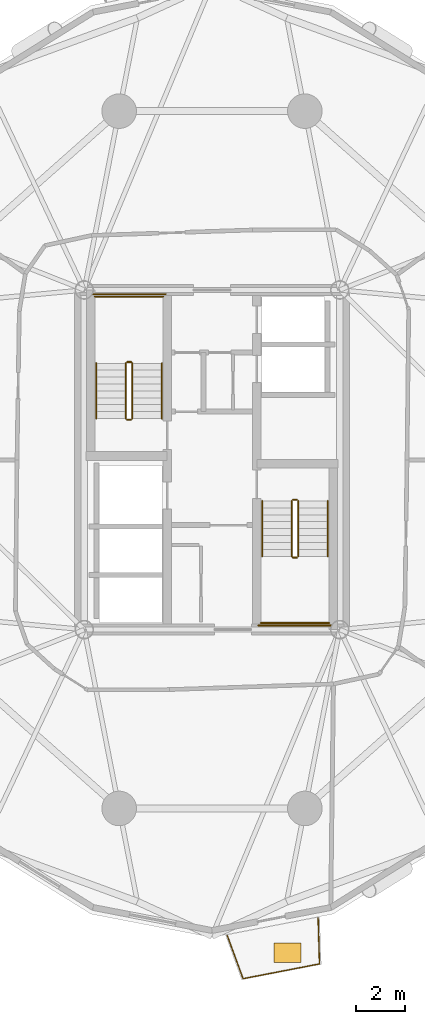
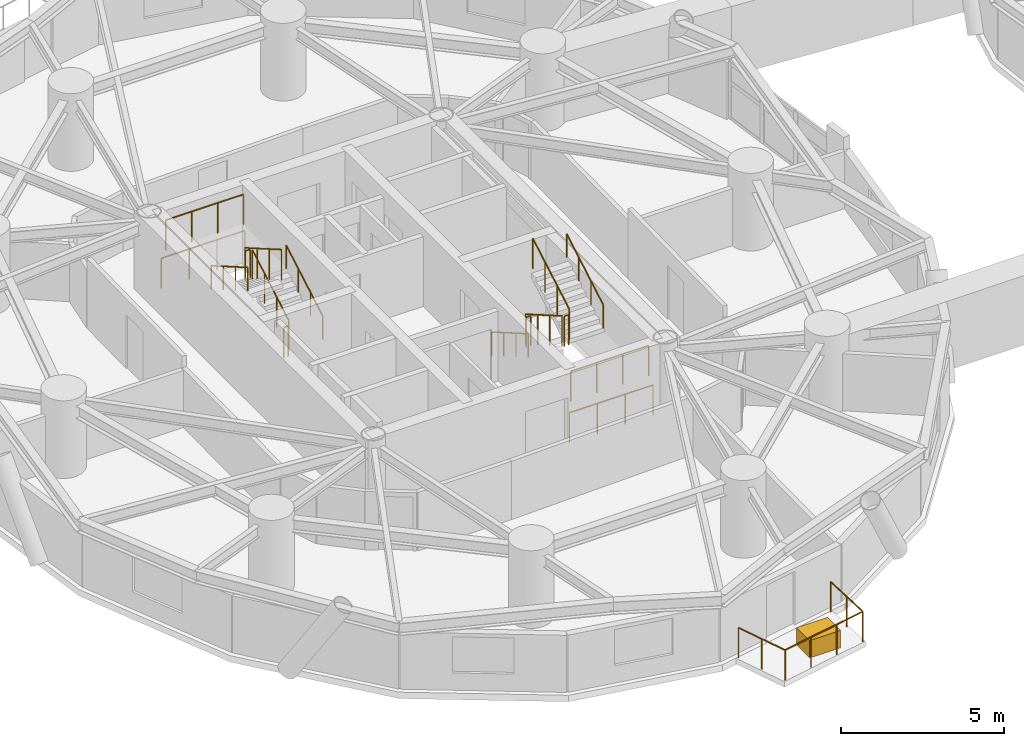
# One storey, part 16 of 18: 17 railings, 1 covering.
"""IFC4 building model written with IfcOpenShell, lengths in metres."""

from ifc_helpers import new_model, si_unit, direction, frame, origin, origin_2d, place, context, subcontext, project, spatial, rectangle, circle, extrude, source, transform, mapped, material, layer, layer_set, type_object, element, save


model = new_model("IFC4")

# Units and contexts
model_context = context("Model", 3, precision=1e-05, world=origin(), true_north=direction((0.0, 1.0)))
body_context = subcontext(model_context, "Body", "Model", "MODEL_VIEW")
ifc_project = project(units=[si_unit("LENGTHUNIT", "METRE"), si_unit("AREAUNIT", "SQUARE_METRE"), si_unit("VOLUMEUNIT", "CUBIC_METRE"), si_unit("PLANEANGLEUNIT", "RADIAN"), si_unit("MASSUNIT", "GRAM", prefix="KILO")], contexts=[model_context])

# Site, building, storey
site_placement = place(None, origin())
site = spatial("IfcSite", under=ifc_project, at=site_placement, CompositionType="ELEMENT")
building_placement = place(site_placement, origin())
building = spatial("IfcBuilding", under=site, at=building_placement, Name="Cununo Teusaquillo Station Towers", CompositionType="ELEMENT")
storey_placement = place(building_placement, frame((0.0, 0.0, 122.530029296875)))
storey = spatial("IfcBuildingStorey", under=building, at=storey_placement, Name="L39", CompositionType="ELEMENT", Elevation=122.530029296875)

# Railings
ifc_material_1 = material(Name="Anodised dark bronze aluminium EN AW-6063-T6", Category="aluminium")
railing_type_1 = type_object("IfcRailingType", Name="RL-EXT-GUARD", PredefinedType="GUARDRAIL", material=ifc_material_1)
railing_1_placement = place(storey_placement, frame((20.79833984375, 5.939453125, 0.0)))
element("IfcRailing", 1, at=railing_1_placement, inside=storey, type_object=railing_type_1, Name="L39 Tower A Balcony Guardrail C15", PredefinedType="GUARDRAIL", context=body_context, shape_type="SweptSolid", body=[
    extrude(circle(Radius=0.02392578125, at=origin_2d()), frame((0.0, 0.0, 1.1259765625), z_axis=(0.030662031384, -0.999529809376, 0.0), x_axis=(0.999529809376, 0.030662031384, 0.0)), (0.0, 0.0, 1.0), 1.86328125),
    extrude(circle(Radius=0.02392578125, at=origin_2d()), frame((0.05712890625, -1.8623046875, 1.1259765625), z_axis=(-0.981834317938, -0.189740275429, 0.0), x_axis=(0.189740275429, -0.981834317938, 0.0)), (0.0, 0.0, 1.0), 3.15380859375),
    extrude(circle(Radius=0.02392578125, at=origin_2d()), frame((-3.039306640625, -2.460693359375, 1.1259765625), z_axis=(-0.343962021681, 0.9389835609, 0.0), x_axis=(-0.9389835609, -0.343962021681, 0.0)), (0.0, 0.0, 1.0), 1.86328125),
    extrude(circle(Radius=0.02099609375, at=origin_2d()), origin(), (0.0, 0.0, 1.0), 1.101806640625),
    extrude(circle(Radius=0.02099609375, at=origin_2d()), frame((0.028564453125, -0.93115234375, 0.0)), (0.0, 0.0, 1.0), 1.101806640625),
    extrude(circle(Radius=0.02099609375, at=origin_2d()), frame((0.05712890625, -1.8623046875, 0.0)), (0.0, 0.0, 1.0), 1.101806640625),
    extrude(circle(Radius=0.02099609375, at=origin_2d()), frame((-0.97509765625, -2.061767578125, 0.0)), (0.0, 0.0, 1.0), 1.101806640625),
    extrude(circle(Radius=0.02099609375, at=origin_2d()), frame((-2.007080078125, -2.26123046875, 0.0)), (0.0, 0.0, 1.0), 1.101806640625),
    extrude(circle(Radius=0.02099609375, at=origin_2d()), frame((-3.039306640625, -2.460693359375, 0.0)), (0.0, 0.0, 1.0), 1.101806640625),
    extrude(circle(Radius=0.02099609375, at=origin_2d()), frame((-3.35986328125, -1.5859375, 0.0)), (0.0, 0.0, 1.0), 1.101806640625),
    extrude(circle(Radius=0.02099609375, at=origin_2d()), frame((-3.68017578125, -0.711181640625, 0.0)), (0.0, 0.0, 1.0), 1.101806640625),
])
ifc_material_2 = material(Name="Steel EN 10025-2 S355J2", Category="steel")
railing_type_2 = type_object("IfcRailingType", Name="RL-INT-GUARD", PredefinedType="GUARDRAIL", material=ifc_material_2)
railing_2_placement = place(storey_placement, frame((13.27001953125, 26.169921875, 0.16162109375)))
element("IfcRailing", 2, at=railing_2_placement, inside=storey, type_object=railing_type_2, Name="L39 ST-T1-1 stair guard 1", PredefinedType="GUARDRAIL", context=body_context, shape_type="SweptSolid", body=[
    extrude(circle(Radius=0.02392578125, at=origin_2d()), frame((0.0, 0.0, 1.1259765625), z_axis=(0.0, 0.865992244559, 0.500057429065), x_axis=(-1.0, 0.0, 0.0)), (0.0, 0.0, 1.0), 2.586669921875),
    extrude(circle(Radius=0.02099609375, at=origin_2d()), origin(), (0.0, 0.0, 1.0), 1.101806640625),
    extrude(circle(Radius=0.02099609375, at=origin_2d()), frame((0.0, 0.74658203125, 0.43115234375)), (0.0, 0.0, 1.0), 1.101806640625),
    extrude(circle(Radius=0.02099609375, at=origin_2d()), frame((0.0, 1.493408203125, 0.8623046875)), (0.0, 0.0, 1.0), 1.101806640625),
    extrude(circle(Radius=0.02099609375, at=origin_2d()), frame((0.0, 2.239990234375, 1.29345703125)), (0.0, 0.0, 1.0), 1.101806640625),
])
railing_3_placement = place(storey_placement, frame((13.219970703125, 28.4599609375, 1.455078125)))
element("IfcRailing", 3, at=railing_3_placement, inside=storey, type_object=railing_type_2, Name="L39 ST-T1-1 stair guard 2", PredefinedType="GUARDRAIL", context=body_context, shape_type="SweptSolid", body=[
    extrude(circle(Radius=0.02392578125, at=origin_2d()), frame((0.0, 0.0, 1.1259765625), z_axis=(-1.0, 0.0, 0.0), x_axis=(0.0, -1.0, 0.0)), (0.0, 0.0, 1.0), 0.159912109375),
    extrude(circle(Radius=0.02099609375, at=origin_2d()), origin(), (0.0, 0.0, 1.0), 1.101806640625),
    extrude(circle(Radius=0.02099609375, at=origin_2d()), frame((-0.159912109375, 0.0, 0.0)), (0.0, 0.0, 1.0), 1.101806640625),
])
railing_4_placement = place(storey_placement, frame((14.52001953125, 31.110107421875, 1.455078125)))
element("IfcRailing", 4, at=railing_4_placement, inside=storey, type_object=railing_type_2, Name="L39 ST-T1-1 stair guard 3", PredefinedType="GUARDRAIL", context=body_context, shape_type="SweptSolid", body=[
    extrude(circle(Radius=0.02392578125, at=origin_2d()), frame((0.0, 0.0, 1.1259765625), z_axis=(-1.0, 0.0, 0.0), x_axis=(0.0, -1.0, 0.0)), (0.0, 0.0, 1.0), 2.760009765625),
    extrude(circle(Radius=0.02099609375, at=origin_2d()), origin(), (0.0, 0.0, 1.0), 1.101806640625),
    extrude(circle(Radius=0.02099609375, at=origin_2d()), frame((-0.919921875, 0.0, 0.0)), (0.0, 0.0, 1.0), 1.101806640625),
    extrude(circle(Radius=0.02099609375, at=origin_2d()), frame((-1.840087890625, 0.0, 0.0)), (0.0, 0.0, 1.0), 1.101806640625),
    extrude(circle(Radius=0.02099609375, at=origin_2d()), frame((-2.760009765625, 0.0, 0.0)), (0.0, 0.0, 1.0), 1.101806640625),
])
railing_5_placement = place(storey_placement, frame((13.010009765625, 28.409912109375, 1.61669921875)))
element("IfcRailing", 5, at=railing_5_placement, inside=storey, type_object=railing_type_2, Name="L39 ST-T1-1 stair guard 4", PredefinedType="GUARDRAIL", context=body_context, shape_type="SweptSolid", body=[
    extrude(circle(Radius=0.02392578125, at=origin_2d()), frame((0.0, 0.0, 1.1259765625), z_axis=(0.0, -0.866033117094, 0.499986639918), x_axis=(1.0, 0.0, 0.0)), (0.0, 0.0, 1.0), 2.58642578125),
    extrude(circle(Radius=0.02099609375, at=origin_2d()), origin(), (0.0, 0.0, 1.0), 1.101806640625),
    extrude(circle(Radius=0.02099609375, at=origin_2d()), frame((0.0, -0.74658203125, 0.43115234375)), (0.0, 0.0, 1.0), 1.101806640625),
    extrude(circle(Radius=0.02099609375, at=origin_2d()), frame((0.0, -1.493408203125, 0.862060546875)), (0.0, 0.0, 1.0), 1.101806640625),
    extrude(circle(Radius=0.02099609375, at=origin_2d()), frame((0.0, -2.239990234375, 1.293212890625)), (0.0, 0.0, 1.0), 1.101806640625),
])
railing_6_placement = place(storey_placement, frame((13.219970703125, 26.1201171875, 0.0)))
element("IfcRailing", 6, at=railing_6_placement, inside=storey, type_object=railing_type_2, Name="L39 ST-T1-1 stair guard 5", PredefinedType="GUARDRAIL", context=body_context, shape_type="SweptSolid", body=[
    extrude(circle(Radius=0.02392578125, at=origin_2d()), frame((0.0, 0.0, 1.1259765625), z_axis=(-1.0, 0.0, 0.0), x_axis=(0.0, -1.0, 0.0)), (0.0, 0.0, 1.0), 0.159912109375),
    extrude(circle(Radius=0.02099609375, at=origin_2d()), origin(), (0.0, 0.0, 1.0), 1.101806640625),
    extrude(circle(Radius=0.02099609375, at=origin_2d()), frame((-0.159912109375, 0.0, 0.0)), (0.0, 0.0, 1.0), 1.101806640625),
])
railing_7_placement = place(storey_placement, frame((14.6201171875, 31.2099609375, 0.0)))
element("IfcRailing", 7, at=railing_7_placement, inside=storey, type_object=railing_type_2, Name="L39 ST-T1-1 stair guard 6", PredefinedType="GUARDRAIL", context=body_context, shape_type="SweptSolid", body=[
    extrude(circle(Radius=0.02392578125, at=origin_2d()), frame((0.0, 0.0, 1.1259765625), z_axis=(-1.0, 0.0, 0.0), x_axis=(0.0, -1.0, 0.0)), (0.0, 0.0, 1.0), 2.960205078125),
    extrude(circle(Radius=0.02099609375, at=origin_2d()), origin(), (0.0, 0.0, 1.0), 1.101806640625),
    extrude(circle(Radius=0.02099609375, at=origin_2d()), frame((-0.98681640625, 0.0, 0.0)), (0.0, 0.0, 1.0), 1.101806640625),
    extrude(circle(Radius=0.02099609375, at=origin_2d()), frame((-1.973388671875, 0.0, 0.0)), (0.0, 0.0, 1.0), 1.101806640625),
    extrude(circle(Radius=0.02099609375, at=origin_2d()), frame((-2.960205078125, 0.0, 0.0)), (0.0, 0.0, 1.0), 1.101806640625),
])
railing_8_placement = place(storey_placement, frame((19.72998046875, 22.830078125, 0.16162109375)))
element("IfcRailing", 8, at=railing_8_placement, inside=storey, type_object=railing_type_2, Name="L39 ST-T1-2 stair guard 1", PredefinedType="GUARDRAIL", context=body_context, shape_type="SweptSolid", body=[
    extrude(circle(Radius=0.02392578125, at=origin_2d()), frame((0.0, 0.0, 1.1259765625), z_axis=(0.0, -0.865992244559, 0.500057429065), x_axis=(1.0, 0.0, 0.0)), (0.0, 0.0, 1.0), 2.586669921875),
    extrude(circle(Radius=0.02099609375, at=origin_2d()), origin(), (0.0, 0.0, 1.0), 1.101806640625),
    extrude(circle(Radius=0.02099609375, at=origin_2d()), frame((0.0, -0.74658203125, 0.43115234375)), (0.0, 0.0, 1.0), 1.101806640625),
    extrude(circle(Radius=0.02099609375, at=origin_2d()), frame((0.0, -1.493408203125, 0.8623046875)), (0.0, 0.0, 1.0), 1.101806640625),
    extrude(circle(Radius=0.02099609375, at=origin_2d()), frame((0.0, -2.239990234375, 1.29345703125)), (0.0, 0.0, 1.0), 1.101806640625),
])
railing_9_placement = place(storey_placement, frame((19.780029296875, 20.5400390625, 1.455078125)))
element("IfcRailing", 9, at=railing_9_placement, inside=storey, type_object=railing_type_2, Name="L39 ST-T1-2 stair guard 2", PredefinedType="GUARDRAIL", context=body_context, shape_type="SweptSolid", body=[
    extrude(circle(Radius=0.02392578125, at=origin_2d()), frame((0.0, 0.0, 1.1259765625), z_axis=(1.0, 0.0, 0.0), x_axis=(0.0, 1.0, 0.0)), (0.0, 0.0, 1.0), 0.159912109375),
    extrude(circle(Radius=0.02099609375, at=origin_2d()), origin(), (0.0, 0.0, 1.0), 1.101806640625),
    extrude(circle(Radius=0.02099609375, at=origin_2d()), frame((0.159912109375, 0.0, 0.0)), (0.0, 0.0, 1.0), 1.101806640625),
])
railing_10_placement = place(storey_placement, frame((18.47998046875, 17.889892578125, 1.455078125)))
element("IfcRailing", 10, at=railing_10_placement, inside=storey, type_object=railing_type_2, Name="L39 ST-T1-2 stair guard 3", PredefinedType="GUARDRAIL", context=body_context, shape_type="SweptSolid", body=[
    extrude(circle(Radius=0.02392578125, at=origin_2d()), frame((0.0, 0.0, 1.1259765625), z_axis=(1.0, 0.0, 0.0), x_axis=(0.0, 1.0, 0.0)), (0.0, 0.0, 1.0), 2.760009765625),
    extrude(circle(Radius=0.02099609375, at=origin_2d()), origin(), (0.0, 0.0, 1.0), 1.101806640625),
    extrude(circle(Radius=0.02099609375, at=origin_2d()), frame((0.919921875, 0.0, 0.0)), (0.0, 0.0, 1.0), 1.101806640625),
    extrude(circle(Radius=0.02099609375, at=origin_2d()), frame((1.840087890625, 0.0, 0.0)), (0.0, 0.0, 1.0), 1.101806640625),
    extrude(circle(Radius=0.02099609375, at=origin_2d()), frame((2.760009765625, 0.0, 0.0)), (0.0, 0.0, 1.0), 1.101806640625),
])
railing_11_placement = place(storey_placement, frame((19.989990234375, 20.590087890625, 1.61669921875)))
element("IfcRailing", 11, at=railing_11_placement, inside=storey, type_object=railing_type_2, Name="L39 ST-T1-2 stair guard 4", PredefinedType="GUARDRAIL", context=body_context, shape_type="SweptSolid", body=[
    extrude(circle(Radius=0.02392578125, at=origin_2d()), frame((0.0, 0.0, 1.1259765625), z_axis=(0.0, 0.866033117094, 0.499986639918), x_axis=(-1.0, 0.0, 0.0)), (0.0, 0.0, 1.0), 2.58642578125),
    extrude(circle(Radius=0.02099609375, at=origin_2d()), origin(), (0.0, 0.0, 1.0), 1.101806640625),
    extrude(circle(Radius=0.02099609375, at=origin_2d()), frame((0.0, 0.74658203125, 0.43115234375)), (0.0, 0.0, 1.0), 1.101806640625),
    extrude(circle(Radius=0.02099609375, at=origin_2d()), frame((0.0, 1.493408203125, 0.862060546875)), (0.0, 0.0, 1.0), 1.101806640625),
    extrude(circle(Radius=0.02099609375, at=origin_2d()), frame((0.0, 2.239990234375, 1.293212890625)), (0.0, 0.0, 1.0), 1.101806640625),
])
railing_12_placement = place(storey_placement, frame((19.780029296875, 22.8798828125, 0.0)))
element("IfcRailing", 12, at=railing_12_placement, inside=storey, type_object=railing_type_2, Name="L39 ST-T1-2 stair guard 5", PredefinedType="GUARDRAIL", context=body_context, shape_type="SweptSolid", body=[
    extrude(circle(Radius=0.02392578125, at=origin_2d()), frame((0.0, 0.0, 1.1259765625), z_axis=(1.0, 0.0, 0.0), x_axis=(0.0, 1.0, 0.0)), (0.0, 0.0, 1.0), 0.159912109375),
    extrude(circle(Radius=0.02099609375, at=origin_2d()), origin(), (0.0, 0.0, 1.0), 1.101806640625),
    extrude(circle(Radius=0.02099609375, at=origin_2d()), frame((0.159912109375, 0.0, 0.0)), (0.0, 0.0, 1.0), 1.101806640625),
])
railing_13_placement = place(storey_placement, frame((18.3798828125, 17.7900390625, 0.0)))
element("IfcRailing", 13, at=railing_13_placement, inside=storey, type_object=railing_type_2, Name="L39 ST-T1-2 stair guard 6", PredefinedType="GUARDRAIL", context=body_context, shape_type="SweptSolid", body=[
    extrude(circle(Radius=0.02392578125, at=origin_2d()), frame((0.0, 0.0, 1.1259765625), z_axis=(1.0, 0.0, 0.0), x_axis=(0.0, 1.0, 0.0)), (0.0, 0.0, 1.0), 2.960205078125),
    extrude(circle(Radius=0.02099609375, at=origin_2d()), origin(), (0.0, 0.0, 1.0), 1.101806640625),
    extrude(circle(Radius=0.02099609375, at=origin_2d()), frame((0.98681640625, 0.0, 0.0)), (0.0, 0.0, 1.0), 1.101806640625),
    extrude(circle(Radius=0.02099609375, at=origin_2d()), frame((1.973388671875, 0.0, 0.0)), (0.0, 0.0, 1.0), 1.101806640625),
    extrude(circle(Radius=0.02099609375, at=origin_2d()), frame((2.960205078125, 0.0, 0.0)), (0.0, 0.0, 1.0), 1.101806640625),
])
ifc_material_3 = material(Name="Steel EN 10025-2 S355J2", Category="steel")
railing_type_3 = type_object("IfcRailingType", Name="RL-INT-HRAIL", PredefinedType="HANDRAIL", material=ifc_material_3)
railing_14_placement = place(storey_placement, frame((14.469970703125, 26.169921875, 0.16162109375)))
element("IfcRailing", 14, at=railing_14_placement, inside=storey, type_object=railing_type_3, Name="L39 ST-T1-1 stair handrail 1", PredefinedType="HANDRAIL", context=body_context, shape_type="SweptSolid", body=[
    extrude(circle(Radius=0.02392578125, at=origin_2d()), frame((0.0, 0.0, 0.8759765625), z_axis=(0.0, 0.865992244559, 0.500057429065), x_axis=(-1.0, 0.0, 0.0)), (0.0, 0.0, 1.0), 2.586669921875),
    extrude(circle(Radius=0.02099609375, at=origin_2d()), origin(), (0.0, 0.0, 1.0), 0.851806640625),
    extrude(circle(Radius=0.02099609375, at=origin_2d()), frame((0.0, 0.74658203125, 0.43115234375)), (0.0, 0.0, 1.0), 0.851806640625),
    extrude(circle(Radius=0.02099609375, at=origin_2d()), frame((0.0, 1.493408203125, 0.8623046875)), (0.0, 0.0, 1.0), 0.851806640625),
    extrude(circle(Radius=0.02099609375, at=origin_2d()), frame((0.0, 2.239990234375, 1.29345703125)), (0.0, 0.0, 1.0), 0.851806640625),
])
railing_15_placement = place(storey_placement, frame((11.81005859375, 28.409912109375, 1.61669921875)))
element("IfcRailing", 15, at=railing_15_placement, inside=storey, type_object=railing_type_3, Name="L39 ST-T1-1 stair handrail 2", PredefinedType="HANDRAIL", context=body_context, shape_type="SweptSolid", body=[
    extrude(circle(Radius=0.02392578125, at=origin_2d()), frame((0.0, 0.0, 0.8759765625), z_axis=(0.0, -0.866033117094, 0.499986639918), x_axis=(1.0, 0.0, 0.0)), (0.0, 0.0, 1.0), 2.58642578125),
    extrude(circle(Radius=0.02099609375, at=origin_2d()), origin(), (0.0, 0.0, 1.0), 0.851806640625),
    extrude(circle(Radius=0.02099609375, at=origin_2d()), frame((0.0, -0.74658203125, 0.43115234375)), (0.0, 0.0, 1.0), 0.851806640625),
    extrude(circle(Radius=0.02099609375, at=origin_2d()), frame((0.0, -1.493408203125, 0.862060546875)), (0.0, 0.0, 1.0), 0.851806640625),
    extrude(circle(Radius=0.02099609375, at=origin_2d()), frame((0.0, -2.239990234375, 1.293212890625)), (0.0, 0.0, 1.0), 0.851806640625),
])
railing_16_placement = place(storey_placement, frame((18.530029296875, 22.830078125, 0.16162109375)))
element("IfcRailing", 16, at=railing_16_placement, inside=storey, type_object=railing_type_3, Name="L39 ST-T1-2 stair handrail 1", PredefinedType="HANDRAIL", context=body_context, shape_type="SweptSolid", body=[
    extrude(circle(Radius=0.02392578125, at=origin_2d()), frame((0.0, 0.0, 0.8759765625), z_axis=(0.0, -0.865992244559, 0.500057429065), x_axis=(1.0, 0.0, 0.0)), (0.0, 0.0, 1.0), 2.586669921875),
    extrude(circle(Radius=0.02099609375, at=origin_2d()), origin(), (0.0, 0.0, 1.0), 0.851806640625),
    extrude(circle(Radius=0.02099609375, at=origin_2d()), frame((0.0, -0.74658203125, 0.43115234375)), (0.0, 0.0, 1.0), 0.851806640625),
    extrude(circle(Radius=0.02099609375, at=origin_2d()), frame((0.0, -1.493408203125, 0.8623046875)), (0.0, 0.0, 1.0), 0.851806640625),
    extrude(circle(Radius=0.02099609375, at=origin_2d()), frame((0.0, -2.239990234375, 1.29345703125)), (0.0, 0.0, 1.0), 0.851806640625),
])
railing_17_placement = place(storey_placement, frame((21.18994140625, 20.590087890625, 1.61669921875)))
element("IfcRailing", 17, at=railing_17_placement, inside=storey, type_object=railing_type_3, Name="L39 ST-T1-2 stair handrail 2", PredefinedType="HANDRAIL", context=body_context, shape_type="SweptSolid", body=[
    extrude(circle(Radius=0.02392578125, at=origin_2d()), frame((0.0, 0.0, 0.8759765625), z_axis=(0.0, 0.866033117094, 0.499986639918), x_axis=(-1.0, 0.0, 0.0)), (0.0, 0.0, 1.0), 2.58642578125),
    extrude(circle(Radius=0.02099609375, at=origin_2d()), origin(), (0.0, 0.0, 1.0), 0.851806640625),
    extrude(circle(Radius=0.02099609375, at=origin_2d()), frame((0.0, 0.74658203125, 0.43115234375)), (0.0, 0.0, 1.0), 0.851806640625),
    extrude(circle(Radius=0.02099609375, at=origin_2d()), frame((0.0, 1.493408203125, 0.862060546875)), (0.0, 0.0, 1.0), 0.851806640625),
    extrude(circle(Radius=0.02099609375, at=origin_2d()), frame((0.0, 2.239990234375, 1.293212890625)), (0.0, 0.0, 1.0), 0.851806640625),
])

# Covering
ifc_material_4 = material(Name="Architectural GRC planter shell and engineered root-zone substrate", Category="concrete")
ifc_layer = layer(ifc_material_4, 0.64990234375)
ifc_layer_set = layer_set([ifc_layer], Name="Architectural GRC planter shell and engineered root-zone substrate")
covering_type = type_object("IfcCoveringType", Name="COV-TREE-PLANTER", PredefinedType="CLADDING", material=ifc_layer_set)
shared_shape = source(origin(), body_context, "Body", "SweptSolid", [
    extrude(rectangle(XDim=1.10009765625, YDim=0.800048828125, at=origin_2d()), origin(), (0.0, 0.0, 1.0), 0.64990234375),
])
covering_placement = place(storey_placement, frame((19.5537109375, 4.531494140625, 0.0), z_axis=(0.0, 0.0, 1.0), x_axis=(1.0, 0.0, 0.0)))
element("IfcCovering", 18, at=covering_placement, inside=storey, type_object=covering_type, Name="L39 Tower A Balcony Tree PLANTER C15", PredefinedType="CLADDING", context=body_context, shape_type="MappedRepresentation", body=[
    mapped(shared_shape, transform((0.0, 0.0, 0.0), x_axis=(1.0, 0.0, 0.0), y_axis=(0.0, 1.0, 0.0), z_axis=(0.0, 0.0, 1.0), scale=1.0)),
])

save(model, "model.ifc")
